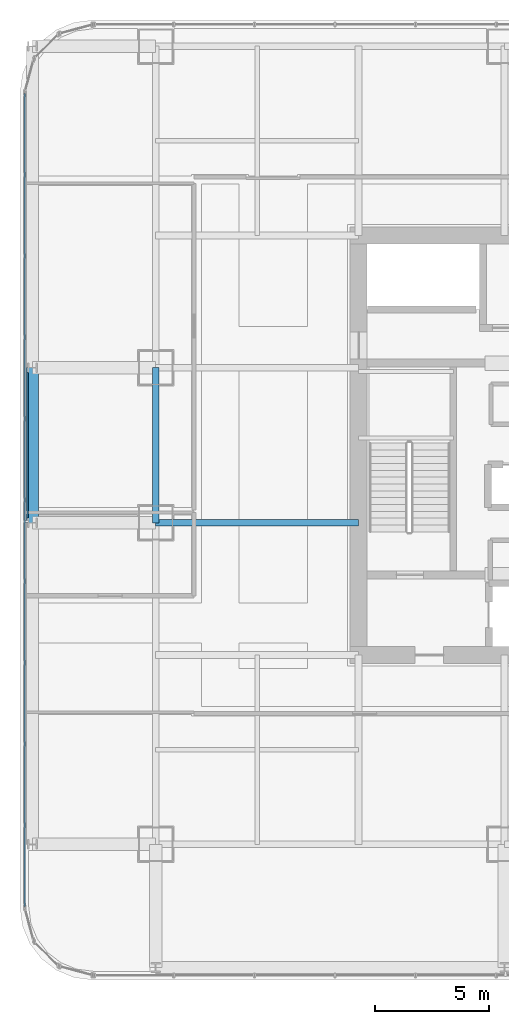
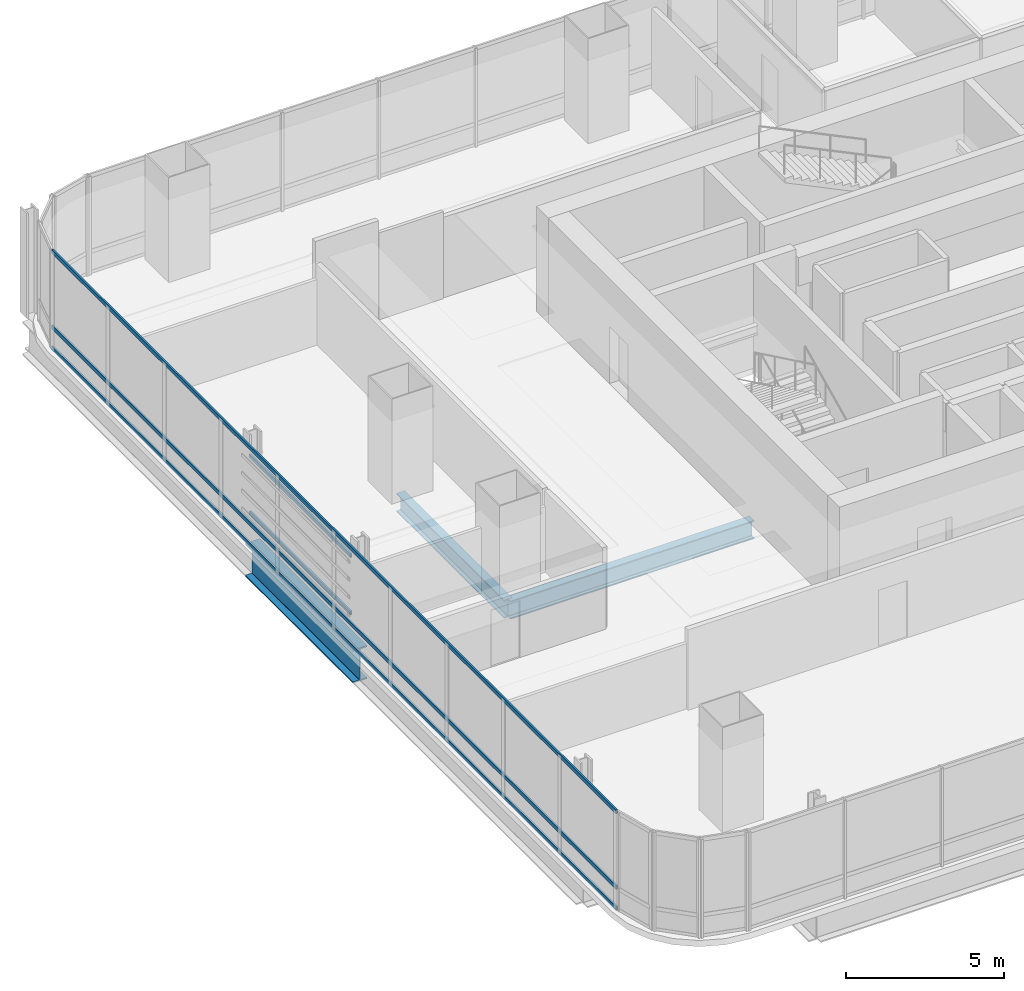
# One storey, part 10 of 36: 5 members, 3 beams, 1 element without a shape of its own.
"""IFC4 building model written with IfcOpenShell, lengths in metres."""

import ifcopenshell
import ifcopenshell.guid

model = None  # the IFC model being written
_history = None  # IfcOwnerHistory: only IFC2X3 demands one
_inside = {}  # id of a spatial element -> (the spatial element, [elements in it])
_under = {}  # id of a project, library or spatial element -> (it, [spatial elements below it])
_declared = {}  # id of a project -> (the project, [libraries it declares])
_typed = {}  # id of a type object -> (the type object, [elements of that type])
_made_of = {}  # id of a material, layer set ... -> (it, [elements and type objects made of it])


def new_model(schema):
    """Start an empty IFC model of exactly this schema.

    Asked for "IFC4X3", IfcOpenShell would pick the latest addendum, in which some entities
    have other attributes; the version numbers below select the first issue.
    IFC2X3 requires an IfcOwnerHistory on every rooted entity: one is made here for all.
    """
    global model, _history
    if schema == "IFC4X3":
        model = ifcopenshell.file(schema_version=(4, 3, 0, 0))
    else:
        model = ifcopenshell.file(schema=schema)
    _inside.clear()
    _under.clear()
    _declared.clear()
    _typed.clear()
    _made_of.clear()
    _history = None
    if model.schema == "IFC2X3":
        org = make("IfcOrganization", Name="unknown")
        user = make(
            "IfcPersonAndOrganization",
            ThePerson=make("IfcPerson", FamilyName="unknown"),
            TheOrganization=org,
        )
        app = make(
            "IfcApplication",
            ApplicationDeveloper=org,
            Version="unknown",
            ApplicationFullName="unknown",
            ApplicationIdentifier="unknown",
        )
        _history = make(
            "IfcOwnerHistory",
            OwningUser=user,
            OwningApplication=app,
            ChangeAction="ADDED",
            CreationDate=0,
        )
    return model


def make(cls, **values):
    """One entity of the class cls with the attributes given. An attribute that is None is left unset."""
    return model.create_entity(
        cls, **{name: value for name, value in values.items() if value is not None}
    )


def rooted(cls, **values):
    """An entity with a GlobalId (a new one), such as an element, a storey or a relation."""
    return make(cls, GlobalId=ifcopenshell.guid.new(), OwnerHistory=_history, **values)


def si_unit(unit_type, name, prefix=None):
    """IfcSIUnit, for example si_unit("LENGTHUNIT", "METRE", prefix="MILLI")."""
    return make("IfcSIUnit", UnitType=unit_type, Prefix=prefix, Name=name)


def assignment(units):
    """IfcUnitAssignment: the units of a project."""
    return None if units is None else make("IfcUnitAssignment", Units=units)


def point(xyz):
    """IfcCartesianPoint."""
    return None if xyz is None else make("IfcCartesianPoint", Coordinates=xyz)


def direction(xyz):
    """IfcDirection."""
    return None if xyz is None else make("IfcDirection", DirectionRatios=xyz)


def frame(location, z_axis=None, x_axis=None):
    """IfcAxis2Placement3D, a coordinate frame: its origin and axes. An axis left out is left unset."""
    return make(
        "IfcAxis2Placement3D",
        Location=point(location),
        Axis=direction(z_axis),
        RefDirection=direction(x_axis),
    )


def frame_2d(location, x_axis=None):
    """IfcAxis2Placement2D, a coordinate frame in the plane: its origin and x axis."""
    return make(
        "IfcAxis2Placement2D", Location=point(location), RefDirection=direction(x_axis)
    )


def origin():
    """The frame at (0, 0, 0) with its axes left unset."""
    return frame((0.0, 0.0, 0.0))


def origin_2d():
    """The frame at (0, 0) in the plane with its x axis left unset."""
    return frame_2d((0.0, 0.0))


def place(relative_to, where):
    """IfcLocalPlacement: puts the frame where relative to a parent placement (None: the world)."""
    return make(
        "IfcLocalPlacement", PlacementRelTo=relative_to, RelativePlacement=where
    )


def context(
    kind, dimensions, precision=None, world=None, true_north=None, identifier=None
):
    """IfcGeometricRepresentationContext, for example the 3D "Model" context."""
    return make(
        "IfcGeometricRepresentationContext",
        ContextIdentifier=identifier,
        ContextType=kind,
        CoordinateSpaceDimension=dimensions,
        Precision=precision,
        WorldCoordinateSystem=world,
        TrueNorth=true_north,
    )


def subcontext(parent, identifier, kind, view, scale=None):
    """IfcGeometricRepresentationSubContext, for example "Body" below "Model"."""
    return make(
        "IfcGeometricRepresentationSubContext",
        ContextIdentifier=identifier,
        ContextType=kind,
        ParentContext=parent,
        TargetScale=scale,
        TargetView=view,
    )


def project(units=None, contexts=None):
    """IfcProject with its units and contexts."""
    return rooted(
        "IfcProject",
        Name="project",
        RepresentationContexts=contexts,
        UnitsInContext=assignment(units),
    )


def spatial(cls, under=None, at=None, **own):
    """A site, building, storey or space (cls), placed at a placement, below another one or the project."""
    s = rooted(cls, ObjectPlacement=at, **own)
    if under is not None:
        _under.setdefault(under.id(), (under, []))[1].append(s)
    return s


def profile(cls, at=None, kind="AREA", **sizes):
    """A parametric profile (cls). Its sizes go by their IFC names, for example OverallWidth=200.0."""
    return make(cls, ProfileType=kind, Position=at, **sizes)


def hollow_rectangle(**sizes):
    """IfcRectangleHollowProfileDef."""
    return profile("IfcRectangleHollowProfileDef", **sizes)


def i_section(**sizes):
    """IfcIShapeProfileDef."""
    return profile("IfcIShapeProfileDef", **sizes)


def extrude(swept, where, along, depth):
    """IfcExtrudedAreaSolid: the profile swept, set in the frame where, extruded along a direction by depth."""
    return make(
        "IfcExtrudedAreaSolid",
        SweptArea=swept,
        Position=where,
        ExtrudedDirection=direction(along),
        Depth=depth,
    )


def shape(context_of_items, identifier, shape_type, items):
    """IfcShapeRepresentation: the items that make up one representation, for example the "Body"."""
    return make(
        "IfcShapeRepresentation",
        ContextOfItems=context_of_items,
        RepresentationIdentifier=identifier,
        RepresentationType=shape_type,
        Items=items,
    )


def material(Name=None, Category=None):
    """IfcMaterial."""
    return make("IfcMaterial", Name=Name, Category=Category)


def material_profile(
    of_material, cross_section, Name=None, Category=None, Priority=None
):
    """IfcMaterialProfile: a cross section and its material."""
    return make(
        "IfcMaterialProfile",
        Name=Name,
        Material=of_material,
        Profile=cross_section,
        Priority=Priority,
        Category=Category,
    )


def profile_set(profiles, Name=None, composite=None):
    """IfcMaterialProfileSet."""
    return make(
        "IfcMaterialProfileSet",
        Name=Name,
        MaterialProfiles=profiles,
        CompositeProfile=composite,
    )


def made_of(thing, what):
    """Note that an element or type object is made of a material, layer set ...; save() writes the relation."""
    if what is not None:
        _made_of.setdefault(what.id(), (what, []))[1].append(thing)
    return thing


def type_object(cls, material=None, **own):
    """A type object (cls), such as IfcWallType, which elements share."""
    return made_of(rooted(cls, **own), material)


def element(
    cls,
    number,
    at=None,
    inside=None,
    cuts=None,
    type_object=None,
    material=None,
    context=None,
    identifier="Body",
    shape_type=None,
    held_by="IfcProductDefinitionShape",
    body=None,
    shapes=None,
    **own,
):
    """One element of the class cls, such as IfcWall. Its Tag is "e" and its number.

    at: its placement. inside: the storey or other place that contains it. cuts: it is an
    opening in that element (IfcRelVoidsElement). A single representation is given by context,
    identifier, shape_type and body (its items); several are given by shapes. held_by: the class
    of the entity that holds the representations. save() writes the other relations.
    """
    e = rooted(cls, Tag="e%d" % number, ObjectPlacement=at, **own)
    if body is not None:
        shapes = [shape(context, identifier, shape_type, body)]
    if shapes is not None:
        e.Representation = make(held_by, Representations=shapes)
    if inside is not None:
        _inside.setdefault(inside.id(), (inside, []))[1].append(e)
    if cuts is not None:
        rooted(
            "IfcRelVoidsElement", RelatingBuildingElement=cuts, RelatedOpeningElement=e
        )
    if type_object is not None:
        _typed.setdefault(type_object.id(), (type_object, []))[1].append(e)
    return made_of(e, material)


def aggregate(whole, parts):
    """IfcRelAggregates: a whole, such as a stair, and the parts it consists of."""
    return rooted("IfcRelAggregates", RelatingObject=whole, RelatedObjects=parts)


def save(model, path):
    """Write the relations noted so far, then the file.

    IfcRelAggregates (storeys below a building ...), IfcRelContainedInSpatialStructure (elements
    in a storey), IfcRelDefinesByType, IfcRelAssociatesMaterial and IfcRelDeclares: one each for
    every whole, place, type object, material and project.
    """
    for whole, parts in _under.values():
        aggregate(whole, parts)
    for where, things in _inside.values():
        rooted(
            "IfcRelContainedInSpatialStructure",
            RelatedElements=things,
            RelatingStructure=where,
        )
    for kind, things in _typed.values():
        rooted("IfcRelDefinesByType", RelatedObjects=things, RelatingType=kind)
    for what, things in _made_of.values():
        rooted("IfcRelAssociatesMaterial", RelatedObjects=things, RelatingMaterial=what)
    for by, libraries in _declared.values():
        rooted("IfcRelDeclares", RelatingContext=by, RelatedDefinitions=libraries)
    model.write(path)


model = new_model("IFC4")

# Units and contexts
model_context = context("Model", 3, precision=1e-05, world=origin(), true_north=direction((0.0, 1.0)))
body_context = subcontext(model_context, "Body", "Model", "MODEL_VIEW")
ifc_project = project(units=[si_unit("LENGTHUNIT", "METRE"), si_unit("AREAUNIT", "SQUARE_METRE"), si_unit("VOLUMEUNIT", "CUBIC_METRE"), si_unit("PLANEANGLEUNIT", "RADIAN"), si_unit("MASSUNIT", "GRAM", prefix="KILO")], contexts=[model_context])

# Site, building, storey
site_placement = place(None, origin())
site = spatial("IfcSite", under=ifc_project, at=site_placement, CompositionType="ELEMENT")
building_placement = place(site_placement, origin())
building = spatial("IfcBuilding", under=site, at=building_placement, Name="Punatoya Terracotta Tower", CompositionType="ELEMENT")
storey_placement = place(building_placement, frame((0.0, 0.0, 32.25)))
storey = spatial("IfcBuildingStorey", under=building, at=storey_placement, Name="L06", CompositionType="ELEMENT", Elevation=32.25)

# Beams
ifc_material_1 = material(Name="Steel S355", Category="steel")
ifc_material_profile_1 = material_profile(ifc_material_1, i_section(OverallWidth=0.300048828125, OverallDepth=0.699951171875, WebThickness=0.01708984375, FlangeThickness=0.031982421875, FilletRadius=0.01806640625, at=origin_2d()))
ifc_profile_set_1 = profile_set([ifc_material_profile_1], Name="Steel S355")
beam_type_1 = type_object("IfcBeamType", Name="BM-PRI-700", PredefinedType="BEAM", material=ifc_profile_set_1)
beam_1_placement = place(storey_placement, frame((-19.10009765625, -3.39990234375, -0.590087890625), z_axis=(0.0, 1.0, 0.0), x_axis=(-1.0, 0.0, 0.0)))
element("IfcBeam", 1, at=beam_1_placement, inside=storey, type_object=beam_type_1, Name="BM-L06-RG-W2", PredefinedType="BEAM", context=body_context, shape_type="SweptSolid", body=[
    extrude(i_section(OverallWidth=0.300048828125, OverallDepth=0.699951171875, WebThickness=0.01708984375, FlangeThickness=0.031982421875, FilletRadius=0.01806640625, at=origin_2d()), origin(), (0.0, 0.0, 1.0), 6.7998046875),
])
beam_2_placement = place(storey_placement, frame((-19.10009765625, -3.39990234375, -0.590087890625), z_axis=(1.0, 0.0, 0.0), x_axis=(0.0, 1.0, 0.0)))
element("IfcBeam", 2, at=beam_2_placement, inside=storey, type_object=beam_type_1, Name="BM-L06-PR-WD", PredefinedType="BEAM", context=body_context, shape_type="SweptSolid", body=[
    extrude(i_section(OverallWidth=0.300048828125, OverallDepth=0.699951171875, WebThickness=0.01708984375, FlangeThickness=0.031982421875, FilletRadius=0.01806640625, at=origin_2d()), origin(), (0.0, 0.0, 1.0), 8.900146484375),
])
ifc_material_2 = material(Name="Steel S460", Category="steel")
ifc_material_profile_2 = material_profile(ifc_material_2, i_section(OverallWidth=0.52001953125, OverallDepth=1.280029296875, WebThickness=0.031982421875, FlangeThickness=0.050048828125, FilletRadius=0.01806640625, at=origin_2d()))
ifc_profile_set_2 = profile_set([ifc_material_profile_2], Name="Steel S460")
beam_type_2 = type_object("IfcBeamType", Name="BM-TG-NCK", PredefinedType="BEAM", material=ifc_profile_set_2)
beam_3_placement = place(storey_placement, frame((-24.5, -3.39990234375, -0.8798828125), z_axis=(0.0, 1.0, 0.0), x_axis=(-1.0, 0.0, 0.0)))
element("IfcBeam", 3, at=beam_3_placement, inside=storey, type_object=beam_type_2, Name="BM-L06-PER-W2", PredefinedType="BEAM", context=body_context, shape_type="SweptSolid", body=[
    extrude(i_section(OverallWidth=0.52001953125, OverallDepth=1.280029296875, WebThickness=0.031982421875, FlangeThickness=0.050048828125, FilletRadius=0.01806640625, at=origin_2d()), origin(), (0.0, 0.0, 1.0), 6.7998046875),
])

# Curtain wall, members
ifc_material_3 = material(Name="Aluminium 6063-T6 + Double Low-E Glass", Category="aluminium")
curtain_wall_type = type_object("IfcCurtainWallType", Name="CW-M1", PredefinedType="NOTDEFINED", material=ifc_material_3)
curtain_wall_placement = place(storey_placement, origin())
curtain_wall = element("IfcCurtainWall", 4, at=curtain_wall_placement, inside=storey, type_object=curtain_wall_type, Name="L06 Curtain Wall CW-L06-W13-1", PredefinedType="NOTDEFINED")
ifc_material_4 = material(Name="Aluminium 6063-T6", Category="aluminium")
ifc_material_profile_3 = material_profile(ifc_material_4, hollow_rectangle(XDim=0.068115234375, YDim=0.14990234375, WallThickness=0.00390625, at=origin_2d()))
ifc_profile_set_3 = profile_set([ifc_material_profile_3], Name="Aluminium 6063-T6")
member_type_1 = type_object("IfcMemberType", Name="CW-TRN-TYP", PredefinedType="USERDEFINED", material=ifc_profile_set_3)
member_1_placement = place(storey_placement, frame((-24.85009765625, 15.43701171875, 0.0400390625), z_axis=(0.0, -1.0, 0.0), x_axis=(1.0, 0.0, 0.0)))
member_1 = element("IfcMember", 5, at=member_1_placement, type_object=member_type_1, Name="CW-L06-W13-1 Transom 1", ObjectType="TRANSOM", PredefinedType="USERDEFINED", context=body_context, shape_type="SweptSolid", body=[
    extrude(hollow_rectangle(XDim=0.068115234375, YDim=0.14990234375, WallThickness=0.00390625, at=origin_2d()), origin(), (0.0, 0.0, 1.0), 35.673828125),
])
member_2_placement = place(storey_placement, frame((-24.85009765625, 15.43701171875, 0.85009765625), z_axis=(0.0, -1.0, 0.0), x_axis=(1.0, 0.0, 0.0)))
member_2 = element("IfcMember", 6, at=member_2_placement, type_object=member_type_1, Name="CW-L06-W13-1 Transom 2", ObjectType="TRANSOM", PredefinedType="USERDEFINED", context=body_context, shape_type="SweptSolid", body=[
    extrude(hollow_rectangle(XDim=0.068115234375, YDim=0.14990234375, WallThickness=0.00390625, at=origin_2d()), origin(), (0.0, 0.0, 1.0), 35.673828125),
])
member_3_placement = place(storey_placement, frame((-24.85009765625, 15.43701171875, 3.77001953125), z_axis=(0.0, -1.0, 0.0), x_axis=(1.0, 0.0, 0.0)))
member_3 = element("IfcMember", 7, at=member_3_placement, type_object=member_type_1, Name="CW-L06-W13-1 Transom 3", ObjectType="TRANSOM", PredefinedType="USERDEFINED", context=body_context, shape_type="SweptSolid", body=[
    extrude(hollow_rectangle(XDim=0.068115234375, YDim=0.14990234375, WallThickness=0.00390625, at=origin_2d()), origin(), (0.0, 0.0, 1.0), 35.673828125),
])
aggregate(curtain_wall, [member_1, member_2, member_3])

# Members
ifc_material_profile_4 = material_profile(ifc_material_1, hollow_rectangle(XDim=0.070068359375, YDim=0.139892578125, WallThickness=0.006103515625, at=origin_2d()))
ifc_profile_set_4 = profile_set([ifc_material_profile_4], Name="Steel S355")
member_type_2 = type_object("IfcMemberType", Name="MEM-BAG-RAIL", PredefinedType="USERDEFINED", material=ifc_profile_set_4)
for number, where, z_axis, x_axis, name in (
    (8, (-24.705078125, -3.1923828125, 1.050048828125), (0.0, 1.0, 0.0), (-1.0, 0.0, 0.0), "L06 Terracotta Baguette Carrier Rail BAG-L06-W-R1"),
    (9, (-24.705078125, -3.1923828125, 3.260009765625), (0.0, 1.0, 0.0), (-1.0, 0.0, 0.0), "L06 Terracotta Baguette Carrier Rail BAG-L06-W-R2"),
):
    element("IfcMember", number, at=place(storey_placement, frame(where, z_axis=z_axis, x_axis=x_axis)), inside=storey, type_object=member_type_2, Name=name, ObjectType="BAGUETTE", PredefinedType="USERDEFINED", context=body_context, shape_type="SweptSolid", body=[
        extrude(hollow_rectangle(XDim=0.070068359375, YDim=0.139892578125, WallThickness=0.006103515625, at=origin_2d()), origin(), (0.0, 0.0, 1.0), 6.384765625),
    ])

save(model, "model.ifc")
